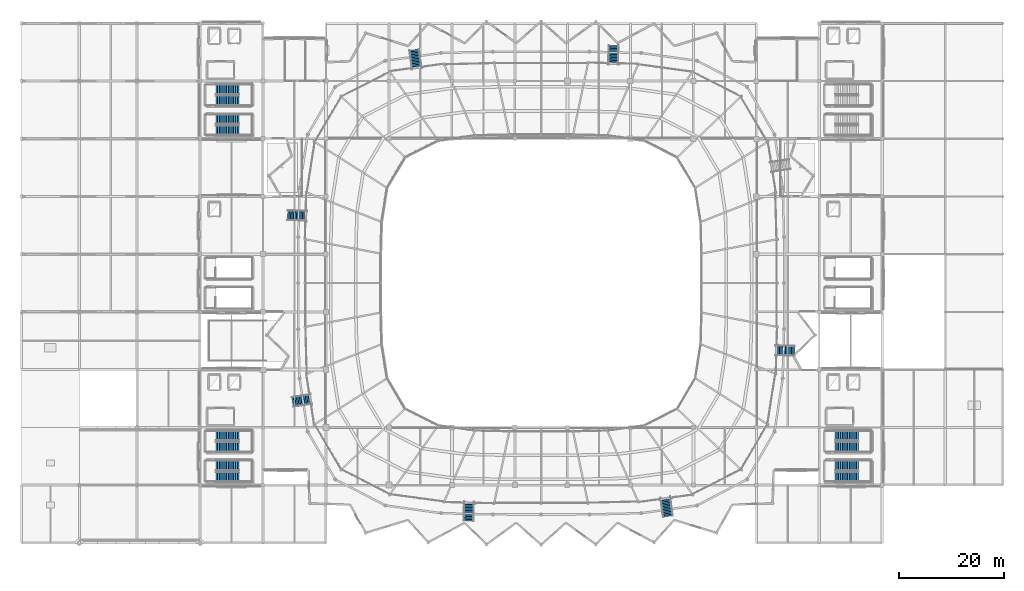
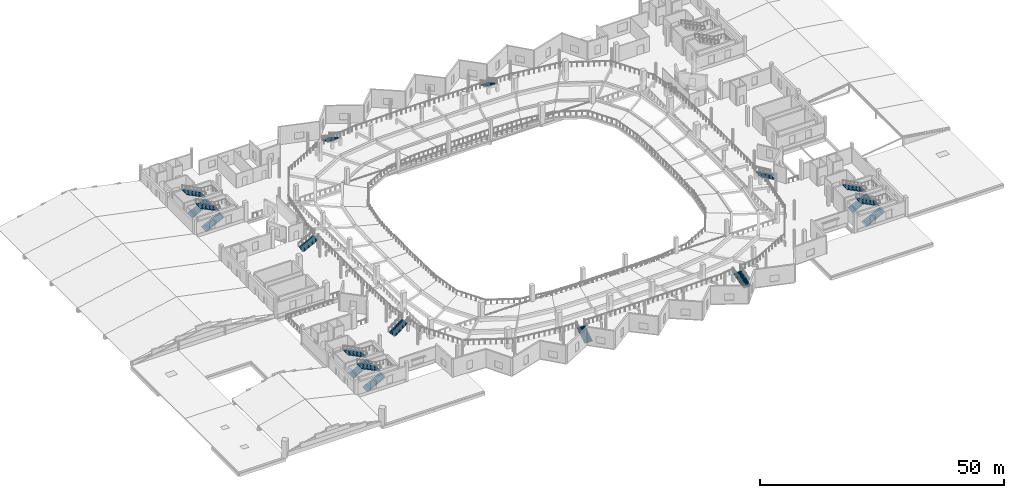
# One storey, part 60 of 77: 19 stair flights, 13 elements without a shape of their own.
"""IFC4 building model written with IfcOpenShell, lengths in metres."""

from ifc_helpers import new_model, si_unit, direction, frame, origin, place, context, subcontext, project, spatial, polyline, outline, extrude, material, layer, layer_set, type_object, element, aggregate, save


model = new_model("IFC4")

# Units and contexts
model_context = context("Model", 3, precision=1e-05, world=origin(), true_north=direction((0.0, 1.0)))
body_context = subcontext(model_context, "Body", "Model", "MODEL_VIEW")
ifc_project = project(units=[si_unit("LENGTHUNIT", "METRE"), si_unit("AREAUNIT", "SQUARE_METRE"), si_unit("VOLUMEUNIT", "CUBIC_METRE"), si_unit("PLANEANGLEUNIT", "RADIAN"), si_unit("MASSUNIT", "GRAM", prefix="KILO")], contexts=[model_context])

# Site, building, storey
site_placement = place(None, origin())
site = spatial("IfcSite", under=ifc_project, at=site_placement, CompositionType="ELEMENT")
building_placement = place(site_placement, origin())
building = spatial("IfcBuilding", under=site, at=building_placement, Name="Luwafu Chhajja Arena", CompositionType="ELEMENT")
storey_placement = place(building_placement, frame((0.0, 0.0, 14.699951171875)))
storey = spatial("IfcBuildingStorey", under=building, at=storey_placement, Name="L03", CompositionType="ELEMENT", Elevation=14.699951171875)

# Stair, stair flight
ifc_material_1 = material(Name="Precast concrete C40/50", Category="concrete")
stair_type_1 = type_object("IfcStairType", Name="Bowl Upper Vomitory Straight Stair 1820", PredefinedType="STRAIGHT_RUN_STAIR", material=ifc_material_1)
stair_1_placement = place(storey_placement, origin())
stair_1 = element("IfcStair", 1, at=stair_1_placement, inside=storey, type_object=stair_type_1, Name="L03 Bowl Vomitory Stair VM-10", PredefinedType="STRAIGHT_RUN_STAIR")
ifc_layer_1 = layer(ifc_material_1, 0.179931640625, Name="Precast concrete C40/50")
ifc_layer_set_1 = layer_set([ifc_layer_1], Name="Precast concrete C40/50")
stair_flight_type_1 = type_object("IfcStairFlightType", Name="Precast Vomitory Stair Flight 1820", PredefinedType="STRAIGHT", material=ifc_layer_set_1)
stair_flight_1_placement = place(storey_placement, frame((112.822998046875, 94.8017578125, 0.0), z_axis=(0.0, 0.0, 1.0), x_axis=(-0.024180924995, -0.999707598684, 0.0)))
stair_flight_1 = element("IfcStairFlight", 2, at=stair_flight_1_placement, type_object=stair_flight_type_1, Name="L03 Vomitory VM-10 StairFlight", NumberOfRisers=13, NumberOfTreads=12, PredefinedType="STRAIGHT", RiserHeight=0.156153846, TreadLength=0.285, context=body_context, shape_type="SweptSolid", body=[
    extrude(outline(polyline([(0.0, 0.0), (0.0, 0.15625), (0.284912109375, 0.15625), (0.284912109375, 0.312255859375), (0.570068359375, 0.312255859375), (0.570068359375, 0.468505859375), (0.85498046875, 0.468505859375), (0.85498046875, 0.62451171875), (1.139892578125, 0.62451171875), (1.139892578125, 0.78076171875), (1.425048828125, 0.78076171875), (1.425048828125, 0.93701171875), (1.7099609375, 0.93701171875), (1.7099609375, 1.093017578125), (1.9951171875, 1.093017578125), (1.9951171875, 1.249267578125), (2.280029296875, 1.249267578125), (2.280029296875, 1.4052734375), (2.56494140625, 1.4052734375), (2.56494140625, 1.5615234375), (2.85009765625, 1.5615234375), (2.85009765625, 1.7177734375), (3.135009765625, 1.7177734375), (3.135009765625, 1.873779296875), (3.419921875, 1.873779296875), (3.419921875, 2.030029296875), (3.419921875, 1.668701171875), (0.37451171875, 0.0), (0.0, 0.0)])), frame((0.0, 0.91015625, 0.0), z_axis=(0.0, -1.0, 0.0), x_axis=(1.0, 0.0, 0.0)), (0.0, 0.0, 1.0), 1.820068359375),
])
aggregate(stair_1, [stair_flight_1])

stair_2_placement = place(storey_placement, origin())
stair_2 = element("IfcStair", 3, at=stair_2_placement, inside=storey, type_object=stair_type_1, Name="L03 Bowl Vomitory Stair VM-11", PredefinedType="STRAIGHT_RUN_STAIR")
stair_flight_2_placement = place(storey_placement, frame((74.828857421875, 93.94970703125, 0.0), z_axis=(0.0, 0.0, 1.0), x_axis=(0.135103416429, -0.990831502764, 0.0)))
stair_flight_2 = element("IfcStairFlight", 4, at=stair_flight_2_placement, type_object=stair_flight_type_1, Name="L03 Vomitory VM-11 StairFlight", NumberOfRisers=13, NumberOfTreads=12, PredefinedType="STRAIGHT", RiserHeight=0.156153846, TreadLength=0.285, context=body_context, shape_type="SweptSolid", body=[
    extrude(outline(polyline([(0.0, 0.0), (0.0, 0.15625), (0.284912109375, 0.15625), (0.284912109375, 0.312255859375), (0.570068359375, 0.312255859375), (0.570068359375, 0.468505859375), (0.85498046875, 0.468505859375), (0.85498046875, 0.62451171875), (1.139892578125, 0.62451171875), (1.139892578125, 0.78076171875), (1.425048828125, 0.78076171875), (1.425048828125, 0.93701171875), (1.7099609375, 0.93701171875), (1.7099609375, 1.093017578125), (1.9951171875, 1.093017578125), (1.9951171875, 1.249267578125), (2.280029296875, 1.249267578125), (2.280029296875, 1.4052734375), (2.56494140625, 1.4052734375), (2.56494140625, 1.5615234375), (2.85009765625, 1.5615234375), (2.85009765625, 1.7177734375), (3.135009765625, 1.7177734375), (3.135009765625, 1.873779296875), (3.419921875, 1.873779296875), (3.419921875, 2.030029296875), (3.419921875, 1.668701171875), (0.37451171875, 0.0), (0.0, 0.0)])), frame((0.0, 0.91015625, 0.0), z_axis=(0.0, -1.0, 0.0), x_axis=(1.0, 0.0, 0.0)), (0.0, 0.0, 1.0), 1.820068359375),
])
aggregate(stair_2, [stair_flight_2])

stair_3_placement = place(storey_placement, origin())
stair_3 = element("IfcStair", 5, at=stair_3_placement, inside=storey, type_object=stair_type_1, Name="L03 Bowl Vomitory Stair VM-12", PredefinedType="STRAIGHT_RUN_STAIR")
stair_flight_3_placement = place(storey_placement, frame((50.70751953125, 62.41943359375, 0.0), z_axis=(0.0, 0.0, 1.0), x_axis=(0.99961458554, -0.027761130677, 0.0)))
stair_flight_3 = element("IfcStairFlight", 6, at=stair_flight_3_placement, type_object=stair_flight_type_1, Name="L03 Vomitory VM-12 StairFlight", NumberOfRisers=13, NumberOfTreads=12, PredefinedType="STRAIGHT", RiserHeight=0.156153846, TreadLength=0.285, context=body_context, shape_type="SweptSolid", body=[
    extrude(outline(polyline([(0.0, 0.0), (0.0, 0.15625), (0.284912109375, 0.15625), (0.284912109375, 0.312255859375), (0.570068359375, 0.312255859375), (0.570068359375, 0.468505859375), (0.85498046875, 0.468505859375), (0.85498046875, 0.62451171875), (1.139892578125, 0.62451171875), (1.139892578125, 0.78076171875), (1.425048828125, 0.78076171875), (1.425048828125, 0.93701171875), (1.7099609375, 0.93701171875), (1.7099609375, 1.093017578125), (1.9951171875, 1.093017578125), (1.9951171875, 1.249267578125), (2.280029296875, 1.249267578125), (2.280029296875, 1.4052734375), (2.56494140625, 1.4052734375), (2.56494140625, 1.5615234375), (2.85009765625, 1.5615234375), (2.85009765625, 1.7177734375), (3.135009765625, 1.7177734375), (3.135009765625, 1.873779296875), (3.419921875, 1.873779296875), (3.419921875, 2.030029296875), (3.419921875, 1.668701171875), (0.37451171875, 0.0), (0.0, 0.0)])), frame((0.0, 0.91015625, 0.0), z_axis=(0.0, -1.0, 0.0), x_axis=(1.0, 0.0, 0.0)), (0.0, 0.0, 1.0), 1.820068359375),
])
aggregate(stair_3, [stair_flight_3])

stair_4_placement = place(storey_placement, origin())
stair_4 = element("IfcStair", 7, at=stair_4_placement, inside=storey, type_object=stair_type_1, Name="L03 Bowl Vomitory Stair VM-13", PredefinedType="STRAIGHT_RUN_STAIR")
stair_flight_4_placement = place(storey_placement, frame((51.627685546875, 26.842529296875, 0.0), z_axis=(0.0, 0.0, 1.0), x_axis=(0.987972013648, 0.154632791636, 0.0)))
stair_flight_4 = element("IfcStairFlight", 8, at=stair_flight_4_placement, type_object=stair_flight_type_1, Name="L03 Vomitory VM-13 StairFlight", NumberOfRisers=13, NumberOfTreads=12, PredefinedType="STRAIGHT", RiserHeight=0.156153846, TreadLength=0.285, context=body_context, shape_type="SweptSolid", body=[
    extrude(outline(polyline([(0.0, 0.0), (0.0, 0.15625), (0.284912109375, 0.15625), (0.284912109375, 0.312255859375), (0.570068359375, 0.312255859375), (0.570068359375, 0.468505859375), (0.85498046875, 0.468505859375), (0.85498046875, 0.62451171875), (1.139892578125, 0.62451171875), (1.139892578125, 0.78076171875), (1.425048828125, 0.78076171875), (1.425048828125, 0.93701171875), (1.7099609375, 0.93701171875), (1.7099609375, 1.093017578125), (1.9951171875, 1.093017578125), (1.9951171875, 1.249267578125), (2.280029296875, 1.249267578125), (2.280029296875, 1.4052734375), (2.56494140625, 1.4052734375), (2.56494140625, 1.5615234375), (2.85009765625, 1.5615234375), (2.85009765625, 1.7177734375), (3.135009765625, 1.7177734375), (3.135009765625, 1.873779296875), (3.419921875, 1.873779296875), (3.419921875, 2.030029296875), (3.419921875, 1.668701171875), (0.37451171875, 0.0), (0.0, 0.0)])), frame((0.0, 0.91015625, 0.0), z_axis=(0.0, -1.0, 0.0), x_axis=(1.0, 0.0, 0.0)), (0.0, 0.0, 1.0), 1.820068359375),
])
aggregate(stair_4, [stair_flight_4])

stair_5_placement = place(storey_placement, origin())
stair_5 = element("IfcStair", 9, at=stair_5_placement, inside=storey, type_object=stair_type_1, Name="L03 Bowl Vomitory Stair VM-14", PredefinedType="STRAIGHT_RUN_STAIR")
stair_flight_5_placement = place(storey_placement, frame((85.177001953125, 4.1982421875, 0.0), z_axis=(0.0, 0.0, 1.0), x_axis=(0.024180924995, 0.999707598684, 0.0)))
stair_flight_5 = element("IfcStairFlight", 10, at=stair_flight_5_placement, type_object=stair_flight_type_1, Name="L03 Vomitory VM-14 StairFlight", NumberOfRisers=13, NumberOfTreads=12, PredefinedType="STRAIGHT", RiserHeight=0.156153846, TreadLength=0.285, context=body_context, shape_type="SweptSolid", body=[
    extrude(outline(polyline([(0.0, 0.0), (0.0, 0.15625), (0.284912109375, 0.15625), (0.284912109375, 0.312255859375), (0.570068359375, 0.312255859375), (0.570068359375, 0.468505859375), (0.85498046875, 0.468505859375), (0.85498046875, 0.62451171875), (1.139892578125, 0.62451171875), (1.139892578125, 0.78076171875), (1.425048828125, 0.78076171875), (1.425048828125, 0.93701171875), (1.7099609375, 0.93701171875), (1.7099609375, 1.093017578125), (1.9951171875, 1.093017578125), (1.9951171875, 1.249267578125), (2.280029296875, 1.249267578125), (2.280029296875, 1.4052734375), (2.56494140625, 1.4052734375), (2.56494140625, 1.5615234375), (2.85009765625, 1.5615234375), (2.85009765625, 1.7177734375), (3.135009765625, 1.7177734375), (3.135009765625, 1.873779296875), (3.419921875, 1.873779296875), (3.419921875, 2.030029296875), (3.419921875, 1.668701171875), (0.37451171875, 0.0), (0.0, 0.0)])), frame((0.0, 0.91015625, 0.0), z_axis=(0.0, -1.0, 0.0), x_axis=(1.0, 0.0, 0.0)), (0.0, 0.0, 1.0), 1.820068359375),
])
aggregate(stair_5, [stair_flight_5])

stair_6_placement = place(storey_placement, origin())
stair_6 = element("IfcStair", 11, at=stair_6_placement, inside=storey, type_object=stair_type_1, Name="L03 Bowl Vomitory Stair VM-15", PredefinedType="STRAIGHT_RUN_STAIR")
stair_flight_6_placement = place(storey_placement, frame((123.171142578125, 5.05029296875, 0.0), z_axis=(0.0, 0.0, 1.0), x_axis=(-0.135103416429, 0.990831502764, 0.0)))
stair_flight_6 = element("IfcStairFlight", 12, at=stair_flight_6_placement, type_object=stair_flight_type_1, Name="L03 Vomitory VM-15 StairFlight", NumberOfRisers=13, NumberOfTreads=12, PredefinedType="STRAIGHT", RiserHeight=0.156153846, TreadLength=0.285, context=body_context, shape_type="SweptSolid", body=[
    extrude(outline(polyline([(0.0, 0.0), (0.0, 0.15625), (0.284912109375, 0.15625), (0.284912109375, 0.312255859375), (0.570068359375, 0.312255859375), (0.570068359375, 0.468505859375), (0.85498046875, 0.468505859375), (0.85498046875, 0.62451171875), (1.139892578125, 0.62451171875), (1.139892578125, 0.78076171875), (1.425048828125, 0.78076171875), (1.425048828125, 0.93701171875), (1.7099609375, 0.93701171875), (1.7099609375, 1.093017578125), (1.9951171875, 1.093017578125), (1.9951171875, 1.249267578125), (2.280029296875, 1.249267578125), (2.280029296875, 1.4052734375), (2.56494140625, 1.4052734375), (2.56494140625, 1.5615234375), (2.85009765625, 1.5615234375), (2.85009765625, 1.7177734375), (3.135009765625, 1.7177734375), (3.135009765625, 1.873779296875), (3.419921875, 1.873779296875), (3.419921875, 2.030029296875), (3.419921875, 1.668701171875), (0.37451171875, 0.0), (0.0, 0.0)])), frame((0.0, 0.91015625, 0.0), z_axis=(0.0, -1.0, 0.0), x_axis=(1.0, 0.0, 0.0)), (0.0, 0.0, 1.0), 1.820068359375),
])
aggregate(stair_6, [stair_flight_6])

stair_7_placement = place(storey_placement, origin())
stair_7 = element("IfcStair", 13, at=stair_7_placement, inside=storey, type_object=stair_type_1, Name="L03 Bowl Vomitory Stair VM-16", PredefinedType="STRAIGHT_RUN_STAIR")
stair_flight_7_placement = place(storey_placement, frame((147.29248046875, 36.58056640625, 0.0), z_axis=(0.0, 0.0, 1.0), x_axis=(-0.99961458554, 0.027761130677, 0.0)))
stair_flight_7 = element("IfcStairFlight", 14, at=stair_flight_7_placement, type_object=stair_flight_type_1, Name="L03 Vomitory VM-16 StairFlight", NumberOfRisers=13, NumberOfTreads=12, PredefinedType="STRAIGHT", RiserHeight=0.156153846, TreadLength=0.285, context=body_context, shape_type="SweptSolid", body=[
    extrude(outline(polyline([(0.0, 0.0), (0.0, 0.15625), (0.284912109375, 0.15625), (0.284912109375, 0.312255859375), (0.570068359375, 0.312255859375), (0.570068359375, 0.468505859375), (0.85498046875, 0.468505859375), (0.85498046875, 0.62451171875), (1.139892578125, 0.62451171875), (1.139892578125, 0.78076171875), (1.425048828125, 0.78076171875), (1.425048828125, 0.93701171875), (1.7099609375, 0.93701171875), (1.7099609375, 1.093017578125), (1.9951171875, 1.093017578125), (1.9951171875, 1.249267578125), (2.280029296875, 1.249267578125), (2.280029296875, 1.4052734375), (2.56494140625, 1.4052734375), (2.56494140625, 1.5615234375), (2.85009765625, 1.5615234375), (2.85009765625, 1.7177734375), (3.135009765625, 1.7177734375), (3.135009765625, 1.873779296875), (3.419921875, 1.873779296875), (3.419921875, 2.030029296875), (3.419921875, 1.668701171875), (0.37451171875, 0.0), (0.0, 0.0)])), frame((0.0, 0.91015625, 0.0), z_axis=(0.0, -1.0, 0.0), x_axis=(1.0, 0.0, 0.0)), (0.0, 0.0, 1.0), 1.820068359375),
])
aggregate(stair_7, [stair_flight_7])

# Stair, stair flights
ifc_material_2 = material(Name="Concrete C35/45", Category="concrete")
stair_type_2 = type_object("IfcStairType", Name="Quadrant Protected Dog-Leg Stair 1920", PredefinedType="HALF_TURN_STAIR", material=ifc_material_2)
stair_8_placement = place(storey_placement, origin())
stair_8 = element("IfcStair", 15, at=stair_8_placement, inside=storey, type_object=stair_type_2, Name="L03 Protected Escape Stair ST-01", PredefinedType="HALF_TURN_STAIR")
ifc_layer_2 = layer(ifc_material_2, 0.169921875, Name="Concrete C35/45")
ifc_layer_set_2 = layer_set([ifc_layer_2], Name="Concrete C35/45")
stair_flight_type_2 = type_object("IfcStairFlightType", Name="RC Escape Stair Flight 1920", PredefinedType="STRAIGHT", material=ifc_layer_set_2)
stair_flight_8_placement = place(storey_placement, frame((37.02001953125, 12.610107421875, 0.0), z_axis=(0.0, 0.0, 1.0), x_axis=(1.0, 0.0, 0.0)))
stair_flight_8 = element("IfcStairFlight", 16, at=stair_flight_8_placement, type_object=stair_flight_type_2, Name="ST-01 flight 1", NumberOfRisers=14, NumberOfTreads=13, PredefinedType="STRAIGHT", RiserHeight=0.171428571, TreadLength=0.34, context=body_context, shape_type="SweptSolid", body=[
    extrude(outline(polyline([(0.0, 0.0), (0.0, 0.17138671875), (0.340087890625, 0.17138671875), (0.340087890625, 0.3427734375), (0.679931640625, 0.3427734375), (0.679931640625, 0.514404296875), (1.02001953125, 0.514404296875), (1.02001953125, 0.685791015625), (1.360107421875, 0.685791015625), (1.360107421875, 0.857177734375), (1.699951171875, 0.857177734375), (1.699951171875, 1.028564453125), (2.0400390625, 1.028564453125), (2.0400390625, 1.199951171875), (2.3798828125, 1.199951171875), (2.3798828125, 1.371337890625), (2.719970703125, 1.371337890625), (2.719970703125, 1.54296875), (3.06005859375, 1.54296875), (3.06005859375, 1.71435546875), (3.39990234375, 1.71435546875), (3.39990234375, 1.8857421875), (3.739990234375, 1.8857421875), (3.739990234375, 2.05712890625), (4.080078125, 2.05712890625), (4.080078125, 2.228515625), (4.419921875, 2.228515625), (4.419921875, 2.39990234375), (4.419921875, 2.038330078125), (0.37744140625, 0.0), (0.0, 0.0)])), frame((0.0, 0.9599609375, 0.0), z_axis=(0.0, -1.0, 0.0), x_axis=(1.0, 0.0, 0.0)), (0.0, 0.0, 1.0), 1.919921875),
])
stair_flight_9_placement = place(storey_placement, frame((41.43994140625, 14.72998046875, 2.400146484375), z_axis=(0.0, 0.0, 1.0), x_axis=(-1.0, 0.0, 0.0)))
stair_flight_9 = element("IfcStairFlight", 17, at=stair_flight_9_placement, type_object=stair_flight_type_2, Name="ST-01 flight 2", NumberOfRisers=14, NumberOfTreads=13, PredefinedType="STRAIGHT", RiserHeight=0.171428571, TreadLength=0.34, context=body_context, shape_type="SweptSolid", body=[
    extrude(outline(polyline([(0.0, 0.0), (0.0, 0.17138671875), (0.340087890625, 0.17138671875), (0.340087890625, 0.3427734375), (0.679931640625, 0.3427734375), (0.679931640625, 0.514404296875), (1.02001953125, 0.514404296875), (1.02001953125, 0.685791015625), (1.360107421875, 0.685791015625), (1.360107421875, 0.857177734375), (1.699951171875, 0.857177734375), (1.699951171875, 1.028564453125), (2.0400390625, 1.028564453125), (2.0400390625, 1.199951171875), (2.3798828125, 1.199951171875), (2.3798828125, 1.371337890625), (2.719970703125, 1.371337890625), (2.719970703125, 1.54296875), (3.06005859375, 1.54296875), (3.06005859375, 1.71435546875), (3.39990234375, 1.71435546875), (3.39990234375, 1.8857421875), (3.739990234375, 1.8857421875), (3.739990234375, 2.05712890625), (4.080078125, 2.05712890625), (4.080078125, 2.228515625), (4.419921875, 2.228515625), (4.419921875, 2.39990234375), (4.419921875, 2.038330078125), (0.37744140625, 0.0), (0.0, 0.0)])), frame((0.0, 0.9599609375, 0.0), z_axis=(0.0, -1.0, 0.0), x_axis=(1.0, 0.0, 0.0)), (0.0, 0.0, 1.0), 1.919921875),
])
aggregate(stair_8, [stair_flight_8, stair_flight_9])

stair_9_placement = place(storey_placement, origin())
stair_9 = element("IfcStair", 18, at=stair_9_placement, inside=storey, type_object=stair_type_2, Name="L03 Protected Escape Stair ST-02", PredefinedType="HALF_TURN_STAIR")
stair_flight_10_placement = place(storey_placement, frame((37.02001953125, 18.27001953125, 0.0), z_axis=(0.0, 0.0, 1.0), x_axis=(1.0, 0.0, 0.0)))
stair_flight_10 = element("IfcStairFlight", 19, at=stair_flight_10_placement, type_object=stair_flight_type_2, Name="ST-02 flight 1", NumberOfRisers=14, NumberOfTreads=13, PredefinedType="STRAIGHT", RiserHeight=0.171428571, TreadLength=0.34, context=body_context, shape_type="SweptSolid", body=[
    extrude(outline(polyline([(0.0, 0.0), (0.0, 0.17138671875), (0.340087890625, 0.17138671875), (0.340087890625, 0.3427734375), (0.679931640625, 0.3427734375), (0.679931640625, 0.514404296875), (1.02001953125, 0.514404296875), (1.02001953125, 0.685791015625), (1.360107421875, 0.685791015625), (1.360107421875, 0.857177734375), (1.699951171875, 0.857177734375), (1.699951171875, 1.028564453125), (2.0400390625, 1.028564453125), (2.0400390625, 1.199951171875), (2.3798828125, 1.199951171875), (2.3798828125, 1.371337890625), (2.719970703125, 1.371337890625), (2.719970703125, 1.54296875), (3.06005859375, 1.54296875), (3.06005859375, 1.71435546875), (3.39990234375, 1.71435546875), (3.39990234375, 1.8857421875), (3.739990234375, 1.8857421875), (3.739990234375, 2.05712890625), (4.080078125, 2.05712890625), (4.080078125, 2.228515625), (4.419921875, 2.228515625), (4.419921875, 2.39990234375), (4.419921875, 2.038330078125), (0.37744140625, 0.0), (0.0, 0.0)])), frame((0.0, 0.9599609375, 0.0), z_axis=(0.0, -1.0, 0.0), x_axis=(1.0, 0.0, 0.0)), (0.0, 0.0, 1.0), 1.919921875),
])
stair_flight_11_placement = place(storey_placement, frame((41.43994140625, 20.389892578125, 2.400146484375), z_axis=(0.0, 0.0, 1.0), x_axis=(-1.0, 0.0, 0.0)))
stair_flight_11 = element("IfcStairFlight", 20, at=stair_flight_11_placement, type_object=stair_flight_type_2, Name="ST-02 flight 2", NumberOfRisers=14, NumberOfTreads=13, PredefinedType="STRAIGHT", RiserHeight=0.171428571, TreadLength=0.34, context=body_context, shape_type="SweptSolid", body=[
    extrude(outline(polyline([(0.0, 0.0), (0.0, 0.17138671875), (0.340087890625, 0.17138671875), (0.340087890625, 0.3427734375), (0.679931640625, 0.3427734375), (0.679931640625, 0.514404296875), (1.02001953125, 0.514404296875), (1.02001953125, 0.685791015625), (1.360107421875, 0.685791015625), (1.360107421875, 0.857177734375), (1.699951171875, 0.857177734375), (1.699951171875, 1.028564453125), (2.0400390625, 1.028564453125), (2.0400390625, 1.199951171875), (2.3798828125, 1.199951171875), (2.3798828125, 1.371337890625), (2.719970703125, 1.371337890625), (2.719970703125, 1.54296875), (3.06005859375, 1.54296875), (3.06005859375, 1.71435546875), (3.39990234375, 1.71435546875), (3.39990234375, 1.8857421875), (3.739990234375, 1.8857421875), (3.739990234375, 2.05712890625), (4.080078125, 2.05712890625), (4.080078125, 2.228515625), (4.419921875, 2.228515625), (4.419921875, 2.39990234375), (4.419921875, 2.038330078125), (0.37744140625, 0.0), (0.0, 0.0)])), frame((0.0, 0.9599609375, 0.0), z_axis=(0.0, -1.0, 0.0), x_axis=(1.0, 0.0, 0.0)), (0.0, 0.0, 1.0), 1.919921875),
])
aggregate(stair_9, [stair_flight_10, stair_flight_11])

stair_10_placement = place(storey_placement, origin())
stair_10 = element("IfcStair", 21, at=stair_10_placement, inside=storey, type_object=stair_type_2, Name="L03 Protected Escape Stair ST-03", PredefinedType="HALF_TURN_STAIR")
stair_flight_12_placement = place(storey_placement, frame((155.02001953125, 12.610107421875, 0.0), z_axis=(0.0, 0.0, 1.0), x_axis=(1.0, 0.0, 0.0)))
stair_flight_12 = element("IfcStairFlight", 22, at=stair_flight_12_placement, type_object=stair_flight_type_2, Name="ST-03 flight 1", NumberOfRisers=14, NumberOfTreads=13, PredefinedType="STRAIGHT", RiserHeight=0.171428571, TreadLength=0.34, context=body_context, shape_type="SweptSolid", body=[
    extrude(outline(polyline([(0.0, 0.0), (0.0, 0.17138671875), (0.340087890625, 0.17138671875), (0.340087890625, 0.3427734375), (0.679931640625, 0.3427734375), (0.679931640625, 0.514404296875), (1.02001953125, 0.514404296875), (1.02001953125, 0.685791015625), (1.360107421875, 0.685791015625), (1.360107421875, 0.857177734375), (1.699951171875, 0.857177734375), (1.699951171875, 1.028564453125), (2.0400390625, 1.028564453125), (2.0400390625, 1.199951171875), (2.3798828125, 1.199951171875), (2.3798828125, 1.371337890625), (2.719970703125, 1.371337890625), (2.719970703125, 1.54296875), (3.06005859375, 1.54296875), (3.06005859375, 1.71435546875), (3.39990234375, 1.71435546875), (3.39990234375, 1.8857421875), (3.739990234375, 1.8857421875), (3.739990234375, 2.05712890625), (4.080078125, 2.05712890625), (4.080078125, 2.228515625), (4.419921875, 2.228515625), (4.419921875, 2.39990234375), (4.419921875, 2.038330078125), (0.37744140625, 0.0), (0.0, 0.0)])), frame((0.0, 0.9599609375, 0.0), z_axis=(0.0, -1.0, 0.0), x_axis=(1.0, 0.0, 0.0)), (0.0, 0.0, 1.0), 1.919921875),
])
stair_flight_13_placement = place(storey_placement, frame((159.43994140625, 14.72998046875, 2.400146484375), z_axis=(0.0, 0.0, 1.0), x_axis=(-1.0, 0.0, 0.0)))
stair_flight_13 = element("IfcStairFlight", 23, at=stair_flight_13_placement, type_object=stair_flight_type_2, Name="ST-03 flight 2", NumberOfRisers=14, NumberOfTreads=13, PredefinedType="STRAIGHT", RiserHeight=0.171428571, TreadLength=0.34, context=body_context, shape_type="SweptSolid", body=[
    extrude(outline(polyline([(0.0, 0.0), (0.0, 0.17138671875), (0.340087890625, 0.17138671875), (0.340087890625, 0.3427734375), (0.679931640625, 0.3427734375), (0.679931640625, 0.514404296875), (1.02001953125, 0.514404296875), (1.02001953125, 0.685791015625), (1.360107421875, 0.685791015625), (1.360107421875, 0.857177734375), (1.699951171875, 0.857177734375), (1.699951171875, 1.028564453125), (2.0400390625, 1.028564453125), (2.0400390625, 1.199951171875), (2.3798828125, 1.199951171875), (2.3798828125, 1.371337890625), (2.719970703125, 1.371337890625), (2.719970703125, 1.54296875), (3.06005859375, 1.54296875), (3.06005859375, 1.71435546875), (3.39990234375, 1.71435546875), (3.39990234375, 1.8857421875), (3.739990234375, 1.8857421875), (3.739990234375, 2.05712890625), (4.080078125, 2.05712890625), (4.080078125, 2.228515625), (4.419921875, 2.228515625), (4.419921875, 2.39990234375), (4.419921875, 2.038330078125), (0.37744140625, 0.0), (0.0, 0.0)])), frame((0.0, 0.9599609375, 0.0), z_axis=(0.0, -1.0, 0.0), x_axis=(1.0, 0.0, 0.0)), (0.0, 0.0, 1.0), 1.919921875),
])
aggregate(stair_10, [stair_flight_12, stair_flight_13])

stair_11_placement = place(storey_placement, origin())
stair_11 = element("IfcStair", 24, at=stair_11_placement, inside=storey, type_object=stair_type_2, Name="L03 Protected Escape Stair ST-04", PredefinedType="HALF_TURN_STAIR")
stair_flight_14_placement = place(storey_placement, frame((155.02001953125, 18.27001953125, 0.0), z_axis=(0.0, 0.0, 1.0), x_axis=(1.0, 0.0, 0.0)))
stair_flight_14 = element("IfcStairFlight", 25, at=stair_flight_14_placement, type_object=stair_flight_type_2, Name="ST-04 flight 1", NumberOfRisers=14, NumberOfTreads=13, PredefinedType="STRAIGHT", RiserHeight=0.171428571, TreadLength=0.34, context=body_context, shape_type="SweptSolid", body=[
    extrude(outline(polyline([(0.0, 0.0), (0.0, 0.17138671875), (0.340087890625, 0.17138671875), (0.340087890625, 0.3427734375), (0.679931640625, 0.3427734375), (0.679931640625, 0.514404296875), (1.02001953125, 0.514404296875), (1.02001953125, 0.685791015625), (1.360107421875, 0.685791015625), (1.360107421875, 0.857177734375), (1.699951171875, 0.857177734375), (1.699951171875, 1.028564453125), (2.0400390625, 1.028564453125), (2.0400390625, 1.199951171875), (2.3798828125, 1.199951171875), (2.3798828125, 1.371337890625), (2.719970703125, 1.371337890625), (2.719970703125, 1.54296875), (3.06005859375, 1.54296875), (3.06005859375, 1.71435546875), (3.39990234375, 1.71435546875), (3.39990234375, 1.8857421875), (3.739990234375, 1.8857421875), (3.739990234375, 2.05712890625), (4.080078125, 2.05712890625), (4.080078125, 2.228515625), (4.419921875, 2.228515625), (4.419921875, 2.39990234375), (4.419921875, 2.038330078125), (0.37744140625, 0.0), (0.0, 0.0)])), frame((0.0, 0.9599609375, 0.0), z_axis=(0.0, -1.0, 0.0), x_axis=(1.0, 0.0, 0.0)), (0.0, 0.0, 1.0), 1.919921875),
])
stair_flight_15_placement = place(storey_placement, frame((159.43994140625, 20.389892578125, 2.400146484375), z_axis=(0.0, 0.0, 1.0), x_axis=(-1.0, 0.0, 0.0)))
stair_flight_15 = element("IfcStairFlight", 26, at=stair_flight_15_placement, type_object=stair_flight_type_2, Name="ST-04 flight 2", NumberOfRisers=14, NumberOfTreads=13, PredefinedType="STRAIGHT", RiserHeight=0.171428571, TreadLength=0.34, context=body_context, shape_type="SweptSolid", body=[
    extrude(outline(polyline([(0.0, 0.0), (0.0, 0.17138671875), (0.340087890625, 0.17138671875), (0.340087890625, 0.3427734375), (0.679931640625, 0.3427734375), (0.679931640625, 0.514404296875), (1.02001953125, 0.514404296875), (1.02001953125, 0.685791015625), (1.360107421875, 0.685791015625), (1.360107421875, 0.857177734375), (1.699951171875, 0.857177734375), (1.699951171875, 1.028564453125), (2.0400390625, 1.028564453125), (2.0400390625, 1.199951171875), (2.3798828125, 1.199951171875), (2.3798828125, 1.371337890625), (2.719970703125, 1.371337890625), (2.719970703125, 1.54296875), (3.06005859375, 1.54296875), (3.06005859375, 1.71435546875), (3.39990234375, 1.71435546875), (3.39990234375, 1.8857421875), (3.739990234375, 1.8857421875), (3.739990234375, 2.05712890625), (4.080078125, 2.05712890625), (4.080078125, 2.228515625), (4.419921875, 2.228515625), (4.419921875, 2.39990234375), (4.419921875, 2.038330078125), (0.37744140625, 0.0), (0.0, 0.0)])), frame((0.0, 0.9599609375, 0.0), z_axis=(0.0, -1.0, 0.0), x_axis=(1.0, 0.0, 0.0)), (0.0, 0.0, 1.0), 1.919921875),
])
aggregate(stair_11, [stair_flight_14, stair_flight_15])

stair_12_placement = place(storey_placement, origin())
stair_12 = element("IfcStair", 27, at=stair_12_placement, inside=storey, type_object=stair_type_2, Name="L03 Protected Escape Stair ST-05", PredefinedType="HALF_TURN_STAIR")
stair_flight_16_placement = place(storey_placement, frame((37.02001953125, 78.610107421875, 0.0), z_axis=(0.0, 0.0, 1.0), x_axis=(1.0, 0.0, 0.0)))
stair_flight_16 = element("IfcStairFlight", 28, at=stair_flight_16_placement, type_object=stair_flight_type_2, Name="ST-05 flight 1", NumberOfRisers=14, NumberOfTreads=13, PredefinedType="STRAIGHT", RiserHeight=0.171428571, TreadLength=0.34, context=body_context, shape_type="SweptSolid", body=[
    extrude(outline(polyline([(0.0, 0.0), (0.0, 0.17138671875), (0.340087890625, 0.17138671875), (0.340087890625, 0.3427734375), (0.679931640625, 0.3427734375), (0.679931640625, 0.514404296875), (1.02001953125, 0.514404296875), (1.02001953125, 0.685791015625), (1.360107421875, 0.685791015625), (1.360107421875, 0.857177734375), (1.699951171875, 0.857177734375), (1.699951171875, 1.028564453125), (2.0400390625, 1.028564453125), (2.0400390625, 1.199951171875), (2.3798828125, 1.199951171875), (2.3798828125, 1.371337890625), (2.719970703125, 1.371337890625), (2.719970703125, 1.54296875), (3.06005859375, 1.54296875), (3.06005859375, 1.71435546875), (3.39990234375, 1.71435546875), (3.39990234375, 1.8857421875), (3.739990234375, 1.8857421875), (3.739990234375, 2.05712890625), (4.080078125, 2.05712890625), (4.080078125, 2.228515625), (4.419921875, 2.228515625), (4.419921875, 2.39990234375), (4.419921875, 2.038330078125), (0.37744140625, 0.0), (0.0, 0.0)])), frame((0.0, 0.9599609375, 0.0), z_axis=(0.0, -1.0, 0.0), x_axis=(1.0, 0.0, 0.0)), (0.0, 0.0, 1.0), 1.919921875),
])
stair_flight_17_placement = place(storey_placement, frame((41.43994140625, 80.72998046875, 2.400146484375), z_axis=(0.0, 0.0, 1.0), x_axis=(-1.0, 0.0, 0.0)))
stair_flight_17 = element("IfcStairFlight", 29, at=stair_flight_17_placement, type_object=stair_flight_type_2, Name="ST-05 flight 2", NumberOfRisers=14, NumberOfTreads=13, PredefinedType="STRAIGHT", RiserHeight=0.171428571, TreadLength=0.34, context=body_context, shape_type="SweptSolid", body=[
    extrude(outline(polyline([(0.0, 0.0), (0.0, 0.17138671875), (0.340087890625, 0.17138671875), (0.340087890625, 0.3427734375), (0.679931640625, 0.3427734375), (0.679931640625, 0.514404296875), (1.02001953125, 0.514404296875), (1.02001953125, 0.685791015625), (1.360107421875, 0.685791015625), (1.360107421875, 0.857177734375), (1.699951171875, 0.857177734375), (1.699951171875, 1.028564453125), (2.0400390625, 1.028564453125), (2.0400390625, 1.199951171875), (2.3798828125, 1.199951171875), (2.3798828125, 1.371337890625), (2.719970703125, 1.371337890625), (2.719970703125, 1.54296875), (3.06005859375, 1.54296875), (3.06005859375, 1.71435546875), (3.39990234375, 1.71435546875), (3.39990234375, 1.8857421875), (3.739990234375, 1.8857421875), (3.739990234375, 2.05712890625), (4.080078125, 2.05712890625), (4.080078125, 2.228515625), (4.419921875, 2.228515625), (4.419921875, 2.39990234375), (4.419921875, 2.038330078125), (0.37744140625, 0.0), (0.0, 0.0)])), frame((0.0, 0.9599609375, 0.0), z_axis=(0.0, -1.0, 0.0), x_axis=(1.0, 0.0, 0.0)), (0.0, 0.0, 1.0), 1.919921875),
])
aggregate(stair_12, [stair_flight_16, stair_flight_17])

stair_13_placement = place(storey_placement, origin())
stair_13 = element("IfcStair", 30, at=stair_13_placement, inside=storey, type_object=stair_type_2, Name="L03 Protected Escape Stair ST-06", PredefinedType="HALF_TURN_STAIR")
stair_flight_18_placement = place(storey_placement, frame((37.02001953125, 84.27001953125, 0.0), z_axis=(0.0, 0.0, 1.0), x_axis=(1.0, 0.0, 0.0)))
stair_flight_18 = element("IfcStairFlight", 31, at=stair_flight_18_placement, type_object=stair_flight_type_2, Name="ST-06 flight 1", NumberOfRisers=14, NumberOfTreads=13, PredefinedType="STRAIGHT", RiserHeight=0.171428571, TreadLength=0.34, context=body_context, shape_type="SweptSolid", body=[
    extrude(outline(polyline([(0.0, 0.0), (0.0, 0.17138671875), (0.340087890625, 0.17138671875), (0.340087890625, 0.3427734375), (0.679931640625, 0.3427734375), (0.679931640625, 0.514404296875), (1.02001953125, 0.514404296875), (1.02001953125, 0.685791015625), (1.360107421875, 0.685791015625), (1.360107421875, 0.857177734375), (1.699951171875, 0.857177734375), (1.699951171875, 1.028564453125), (2.0400390625, 1.028564453125), (2.0400390625, 1.199951171875), (2.3798828125, 1.199951171875), (2.3798828125, 1.371337890625), (2.719970703125, 1.371337890625), (2.719970703125, 1.54296875), (3.06005859375, 1.54296875), (3.06005859375, 1.71435546875), (3.39990234375, 1.71435546875), (3.39990234375, 1.8857421875), (3.739990234375, 1.8857421875), (3.739990234375, 2.05712890625), (4.080078125, 2.05712890625), (4.080078125, 2.228515625), (4.419921875, 2.228515625), (4.419921875, 2.39990234375), (4.419921875, 2.038330078125), (0.37744140625, 0.0), (0.0, 0.0)])), frame((0.0, 0.9599609375, 0.0), z_axis=(0.0, -1.0, 0.0), x_axis=(1.0, 0.0, 0.0)), (0.0, 0.0, 1.0), 1.919921875),
])
stair_flight_19_placement = place(storey_placement, frame((41.43994140625, 86.389892578125, 2.400146484375), z_axis=(0.0, 0.0, 1.0), x_axis=(-1.0, 0.0, 0.0)))
stair_flight_19 = element("IfcStairFlight", 32, at=stair_flight_19_placement, type_object=stair_flight_type_2, Name="ST-06 flight 2", NumberOfRisers=14, NumberOfTreads=13, PredefinedType="STRAIGHT", RiserHeight=0.171428571, TreadLength=0.34, context=body_context, shape_type="SweptSolid", body=[
    extrude(outline(polyline([(0.0, 0.0), (0.0, 0.17138671875), (0.340087890625, 0.17138671875), (0.340087890625, 0.3427734375), (0.679931640625, 0.3427734375), (0.679931640625, 0.514404296875), (1.02001953125, 0.514404296875), (1.02001953125, 0.685791015625), (1.360107421875, 0.685791015625), (1.360107421875, 0.857177734375), (1.699951171875, 0.857177734375), (1.699951171875, 1.028564453125), (2.0400390625, 1.028564453125), (2.0400390625, 1.199951171875), (2.3798828125, 1.199951171875), (2.3798828125, 1.371337890625), (2.719970703125, 1.371337890625), (2.719970703125, 1.54296875), (3.06005859375, 1.54296875), (3.06005859375, 1.71435546875), (3.39990234375, 1.71435546875), (3.39990234375, 1.8857421875), (3.739990234375, 1.8857421875), (3.739990234375, 2.05712890625), (4.080078125, 2.05712890625), (4.080078125, 2.228515625), (4.419921875, 2.228515625), (4.419921875, 2.39990234375), (4.419921875, 2.038330078125), (0.37744140625, 0.0), (0.0, 0.0)])), frame((0.0, 0.9599609375, 0.0), z_axis=(0.0, -1.0, 0.0), x_axis=(1.0, 0.0, 0.0)), (0.0, 0.0, 1.0), 1.919921875),
])
aggregate(stair_13, [stair_flight_18, stair_flight_19])

save(model, "model.ifc")
